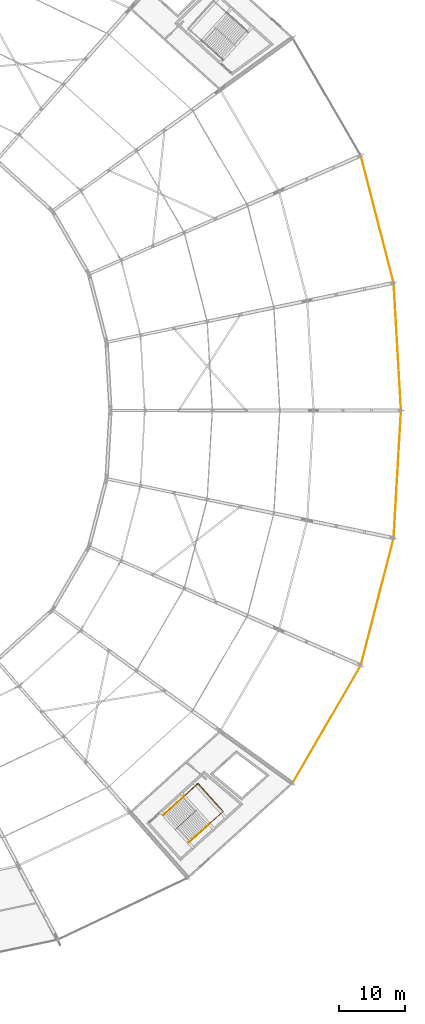
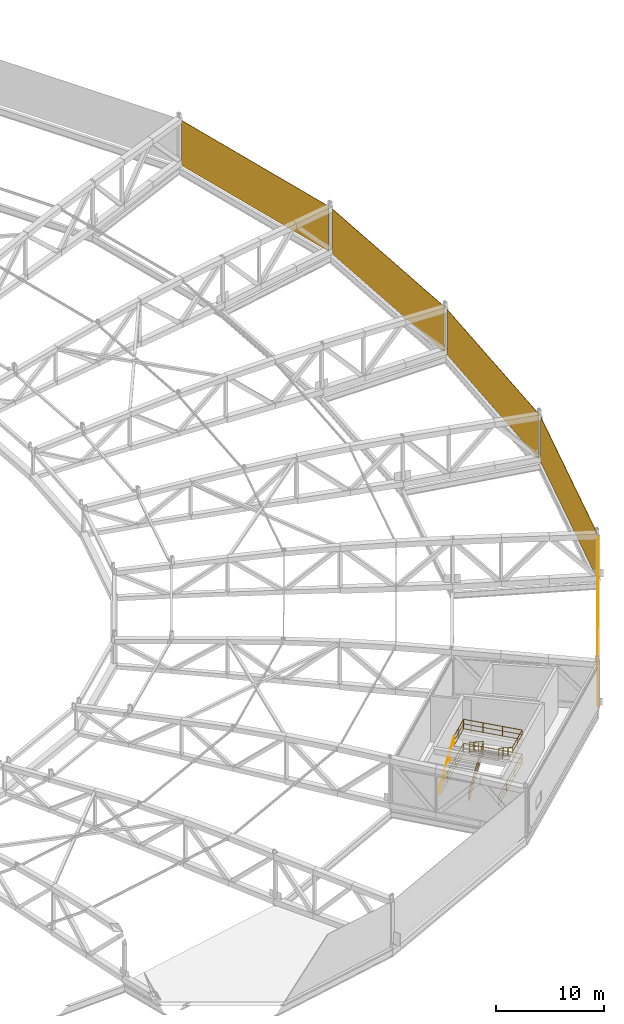
# One storey, part 161 of 162: 5 coverings, 5 railings.
"""IFC4 building model written with IfcOpenShell, lengths in metres."""

import ifcopenshell
import ifcopenshell.guid

model = None  # the IFC model being written
_history = None  # IfcOwnerHistory: only IFC2X3 demands one
_inside = {}  # id of a spatial element -> (the spatial element, [elements in it])
_under = {}  # id of a project, library or spatial element -> (it, [spatial elements below it])
_declared = {}  # id of a project -> (the project, [libraries it declares])
_typed = {}  # id of a type object -> (the type object, [elements of that type])
_made_of = {}  # id of a material, layer set ... -> (it, [elements and type objects made of it])


def new_model(schema):
    """Start an empty IFC model of exactly this schema.

    Asked for "IFC4X3", IfcOpenShell would pick the latest addendum, in which some entities
    have other attributes; the version numbers below select the first issue.
    IFC2X3 requires an IfcOwnerHistory on every rooted entity: one is made here for all.
    """
    global model, _history
    if schema == "IFC4X3":
        model = ifcopenshell.file(schema_version=(4, 3, 0, 0))
    else:
        model = ifcopenshell.file(schema=schema)
    _inside.clear()
    _under.clear()
    _declared.clear()
    _typed.clear()
    _made_of.clear()
    _history = None
    if model.schema == "IFC2X3":
        org = make("IfcOrganization", Name="unknown")
        user = make(
            "IfcPersonAndOrganization",
            ThePerson=make("IfcPerson", FamilyName="unknown"),
            TheOrganization=org,
        )
        app = make(
            "IfcApplication",
            ApplicationDeveloper=org,
            Version="unknown",
            ApplicationFullName="unknown",
            ApplicationIdentifier="unknown",
        )
        _history = make(
            "IfcOwnerHistory",
            OwningUser=user,
            OwningApplication=app,
            ChangeAction="ADDED",
            CreationDate=0,
        )
    return model


def make(cls, **values):
    """One entity of the class cls with the attributes given. An attribute that is None is left unset."""
    return model.create_entity(
        cls, **{name: value for name, value in values.items() if value is not None}
    )


def rooted(cls, **values):
    """An entity with a GlobalId (a new one), such as an element, a storey or a relation."""
    return make(cls, GlobalId=ifcopenshell.guid.new(), OwnerHistory=_history, **values)


def si_unit(unit_type, name, prefix=None):
    """IfcSIUnit, for example si_unit("LENGTHUNIT", "METRE", prefix="MILLI")."""
    return make("IfcSIUnit", UnitType=unit_type, Prefix=prefix, Name=name)


def assignment(units):
    """IfcUnitAssignment: the units of a project."""
    return None if units is None else make("IfcUnitAssignment", Units=units)


def point(xyz):
    """IfcCartesianPoint."""
    return None if xyz is None else make("IfcCartesianPoint", Coordinates=xyz)


def direction(xyz):
    """IfcDirection."""
    return None if xyz is None else make("IfcDirection", DirectionRatios=xyz)


def frame(location, z_axis=None, x_axis=None):
    """IfcAxis2Placement3D, a coordinate frame: its origin and axes. An axis left out is left unset."""
    return make(
        "IfcAxis2Placement3D",
        Location=point(location),
        Axis=direction(z_axis),
        RefDirection=direction(x_axis),
    )


def frame_2d(location, x_axis=None):
    """IfcAxis2Placement2D, a coordinate frame in the plane: its origin and x axis."""
    return make(
        "IfcAxis2Placement2D", Location=point(location), RefDirection=direction(x_axis)
    )


def origin():
    """The frame at (0, 0, 0) with its axes left unset."""
    return frame((0.0, 0.0, 0.0))


def origin_2d():
    """The frame at (0, 0) in the plane with its x axis left unset."""
    return frame_2d((0.0, 0.0))


def place(relative_to, where):
    """IfcLocalPlacement: puts the frame where relative to a parent placement (None: the world)."""
    return make(
        "IfcLocalPlacement", PlacementRelTo=relative_to, RelativePlacement=where
    )


def context(
    kind, dimensions, precision=None, world=None, true_north=None, identifier=None
):
    """IfcGeometricRepresentationContext, for example the 3D "Model" context."""
    return make(
        "IfcGeometricRepresentationContext",
        ContextIdentifier=identifier,
        ContextType=kind,
        CoordinateSpaceDimension=dimensions,
        Precision=precision,
        WorldCoordinateSystem=world,
        TrueNorth=true_north,
    )


def subcontext(parent, identifier, kind, view, scale=None):
    """IfcGeometricRepresentationSubContext, for example "Body" below "Model"."""
    return make(
        "IfcGeometricRepresentationSubContext",
        ContextIdentifier=identifier,
        ContextType=kind,
        ParentContext=parent,
        TargetScale=scale,
        TargetView=view,
    )


def project(units=None, contexts=None):
    """IfcProject with its units and contexts."""
    return rooted(
        "IfcProject",
        Name="project",
        RepresentationContexts=contexts,
        UnitsInContext=assignment(units),
    )


def spatial(cls, under=None, at=None, **own):
    """A site, building, storey or space (cls), placed at a placement, below another one or the project."""
    s = rooted(cls, ObjectPlacement=at, **own)
    if under is not None:
        _under.setdefault(under.id(), (under, []))[1].append(s)
    return s


def profile(cls, at=None, kind="AREA", **sizes):
    """A parametric profile (cls). Its sizes go by their IFC names, for example OverallWidth=200.0."""
    return make(cls, ProfileType=kind, Position=at, **sizes)


def rectangle(**sizes):
    """IfcRectangleProfileDef."""
    return profile("IfcRectangleProfileDef", **sizes)


def extrude(swept, where, along, depth):
    """IfcExtrudedAreaSolid: the profile swept, set in the frame where, extruded along a direction by depth."""
    return make(
        "IfcExtrudedAreaSolid",
        SweptArea=swept,
        Position=where,
        ExtrudedDirection=direction(along),
        Depth=depth,
    )


def shape(context_of_items, identifier, shape_type, items):
    """IfcShapeRepresentation: the items that make up one representation, for example the "Body"."""
    return make(
        "IfcShapeRepresentation",
        ContextOfItems=context_of_items,
        RepresentationIdentifier=identifier,
        RepresentationType=shape_type,
        Items=items,
    )


def material(Name=None, Category=None):
    """IfcMaterial."""
    return make("IfcMaterial", Name=Name, Category=Category)


def layer(
    of_material, thickness, ventilated=None, Name=None, Category=None, Priority=None
):
    """IfcMaterialLayer: one layer of a wall or slab, of a material (None: an air gap)."""
    return make(
        "IfcMaterialLayer",
        Material=of_material,
        LayerThickness=thickness,
        IsVentilated=ventilated,
        Name=Name,
        Category=Category,
        Priority=Priority,
    )


def layer_set(layers, Name=None):
    """IfcMaterialLayerSet."""
    return make("IfcMaterialLayerSet", MaterialLayers=layers, LayerSetName=Name)


def made_of(thing, what):
    """Note that an element or type object is made of a material, layer set ...; save() writes the relation."""
    if what is not None:
        _made_of.setdefault(what.id(), (what, []))[1].append(thing)
    return thing


def type_object(cls, material=None, **own):
    """A type object (cls), such as IfcWallType, which elements share."""
    return made_of(rooted(cls, **own), material)


def element(
    cls,
    number,
    at=None,
    inside=None,
    cuts=None,
    type_object=None,
    material=None,
    context=None,
    identifier="Body",
    shape_type=None,
    held_by="IfcProductDefinitionShape",
    body=None,
    shapes=None,
    **own,
):
    """One element of the class cls, such as IfcWall. Its Tag is "e" and its number.

    at: its placement. inside: the storey or other place that contains it. cuts: it is an
    opening in that element (IfcRelVoidsElement). A single representation is given by context,
    identifier, shape_type and body (its items); several are given by shapes. held_by: the class
    of the entity that holds the representations. save() writes the other relations.
    """
    e = rooted(cls, Tag="e%d" % number, ObjectPlacement=at, **own)
    if body is not None:
        shapes = [shape(context, identifier, shape_type, body)]
    if shapes is not None:
        e.Representation = make(held_by, Representations=shapes)
    if inside is not None:
        _inside.setdefault(inside.id(), (inside, []))[1].append(e)
    if cuts is not None:
        rooted(
            "IfcRelVoidsElement", RelatingBuildingElement=cuts, RelatedOpeningElement=e
        )
    if type_object is not None:
        _typed.setdefault(type_object.id(), (type_object, []))[1].append(e)
    return made_of(e, material)


def aggregate(whole, parts):
    """IfcRelAggregates: a whole, such as a stair, and the parts it consists of."""
    return rooted("IfcRelAggregates", RelatingObject=whole, RelatedObjects=parts)


def save(model, path):
    """Write the relations noted so far, then the file.

    IfcRelAggregates (storeys below a building ...), IfcRelContainedInSpatialStructure (elements
    in a storey), IfcRelDefinesByType, IfcRelAssociatesMaterial and IfcRelDeclares: one each for
    every whole, place, type object, material and project.
    """
    for whole, parts in _under.values():
        aggregate(whole, parts)
    for where, things in _inside.values():
        rooted(
            "IfcRelContainedInSpatialStructure",
            RelatedElements=things,
            RelatingStructure=where,
        )
    for kind, things in _typed.values():
        rooted("IfcRelDefinesByType", RelatedObjects=things, RelatingType=kind)
    for what, things in _made_of.values():
        rooted("IfcRelAssociatesMaterial", RelatedObjects=things, RelatingMaterial=what)
    for by, libraries in _declared.values():
        rooted("IfcRelDeclares", RelatingContext=by, RelatedDefinitions=libraries)
    model.write(path)


model = new_model("IFC4")

# Units and contexts
model_context = context("Model", 3, precision=1e-05, world=origin(), true_north=direction((0.0, 1.0)))
body_context = subcontext(model_context, "Body", "Model", "MODEL_VIEW")
ifc_project = project(units=[si_unit("LENGTHUNIT", "METRE"), si_unit("AREAUNIT", "SQUARE_METRE"), si_unit("VOLUMEUNIT", "CUBIC_METRE"), si_unit("PLANEANGLEUNIT", "RADIAN"), si_unit("MASSUNIT", "GRAM", prefix="KILO")], contexts=[model_context])

# Site, building, storey
site_placement = place(None, origin())
site = spatial("IfcSite", under=ifc_project, at=site_placement, CompositionType="ELEMENT")
building_placement = place(site_placement, origin())
building = spatial("IfcBuilding", under=site, at=building_placement, Name="Kazemori Nagisa Stadium", CompositionType="ELEMENT")
storey_placement = place(building_placement, frame((0.0, 0.0, 36.719970703125)))
storey = spatial("IfcBuildingStorey", under=building, at=storey_placement, Name="RF", CompositionType="ELEMENT", Elevation=36.719970703125)

# Coverings
ifc_material_1 = material(Name="Anodised aluminium 6063-T5", Category="aluminium")
ifc_layer = layer(ifc_material_1, 0.034912109375, Name="Anodised aluminium 6063-T5", Category="aluminium")
ifc_layer_set = layer_set([ifc_layer], Name="Anodised aluminium 6063-T5")
covering_type = type_object("IfcCoveringType", Name="Covering_CLAD", PredefinedType="CLADDING", material=ifc_layer_set)
covering_1_placement = place(storey_placement, frame((217.4404296875, 111.69873046875, 0.030029296875), z_axis=(0.0, 0.0, 1.0), x_axis=(-0.057601670941, 0.998339645364, 0.0)))
element("IfcCovering", 1, at=covering_1_placement, inside=storey, type_object=covering_type, Name="Canopy perimeter acoustic fascia screen RF-B01", PredefinedType="CLADDING", context=body_context, shape_type="SweptSolid", body=[
    extrude(rectangle(XDim=18.929931640625, YDim=0.050048828125, at=origin_2d()), origin(), (0.0, 0.0, 1.0), 5.10009765625),
])
covering_2_placement = place(storey_placement, frame((214.3828125, 131.07373046875, 0.030029296875), z_axis=(0.0, 0.0, 1.0), x_axis=(-0.249964642418, 0.968254965152, 0.0)))
element("IfcCovering", 2, at=covering_2_placement, inside=storey, type_object=covering_type, Name="Canopy perimeter acoustic fascia screen RF-B02", PredefinedType="CLADDING", context=body_context, shape_type="SweptSolid", body=[
    extrude(rectangle(XDim=19.486328125, YDim=0.050048828125, at=origin_2d()), origin(), (0.0, 0.0, 1.0), 5.10009765625),
])
covering_3_placement = place(storey_placement, frame((206.690185546875, 54.29150390625, 0.030029296875), z_axis=(0.0, 0.0, 1.0), x_axis=(0.501611590054, 0.865092950337, 0.0)))
element("IfcCovering", 3, at=covering_3_placement, inside=storey, type_object=covering_type, Name="Canopy perimeter acoustic fascia screen RF-B26", PredefinedType="CLADDING", context=body_context, shape_type="SweptSolid", body=[
    extrude(rectangle(XDim=20.21240234375, YDim=0.050048828125, at=origin_2d()), origin(), (0.0, 0.0, 1.0), 5.10009765625),
])
covering_4_placement = place(storey_placement, frame((214.3828125, 72.92626953125, 0.030029296875), z_axis=(0.0, 0.0, 1.0), x_axis=(0.249964642418, 0.968254965152, 0.0)))
element("IfcCovering", 4, at=covering_4_placement, inside=storey, type_object=covering_type, Name="Canopy perimeter acoustic fascia screen RF-B27", PredefinedType="CLADDING", context=body_context, shape_type="SweptSolid", body=[
    extrude(rectangle(XDim=19.486328125, YDim=0.050048828125, at=origin_2d()), origin(), (0.0, 0.0, 1.0), 5.10009765625),
])
covering_5_placement = place(storey_placement, frame((217.4404296875, 92.30126953125, 0.030029296875), z_axis=(0.0, 0.0, 1.0), x_axis=(0.057601670941, 0.998339645364, 0.0)))
element("IfcCovering", 5, at=covering_5_placement, inside=storey, type_object=covering_type, Name="Canopy perimeter acoustic fascia screen RF-B28", PredefinedType="CLADDING", context=body_context, shape_type="SweptSolid", body=[
    extrude(rectangle(XDim=18.929931640625, YDim=0.050048828125, at=origin_2d()), origin(), (0.0, 0.0, 1.0), 5.10009765625),
])

# Railings
ifc_material_2 = material(Name="Galvanised powder-coated steel", Category="steel")
railing_type_1 = type_object("IfcRailingType", Name="Rail_GUARD", PredefinedType="GUARDRAIL", material=ifc_material_2)
railing_1_placement = place(storey_placement, frame((181.87890625, 40.5205078125, 0.0)))
element("IfcRailing", 6, at=railing_1_placement, inside=storey, type_object=railing_type_1, Name="Stair well perimeter guard ST04-RF", PredefinedType="GUARDRAIL", context=body_context, shape_type="SweptSolid", body=[
    extrude(rectangle(XDim=0.050048828125, YDim=0.050048828125, at=origin_2d()), frame((0.0, 0.0, 1.09521484375), z_axis=(0.741333574744, 0.671136745349, 0.0), x_axis=(-0.671136745349, 0.741333574744, 0.0)), (0.0, 0.0, 1.0), 7.094970703125),
    extrude(rectangle(XDim=0.03759765625, YDim=0.03759765625, at=origin_2d()), frame((0.0, 0.0, 0.58251953125), z_axis=(0.741333574744, 0.671136745349, 0.0), x_axis=(-0.671136745349, 0.741333574744, 0.0)), (0.0, 0.0, 1.0), 7.094970703125),
    extrude(rectangle(XDim=0.03759765625, YDim=0.03759765625, at=origin_2d()), frame((0.0, 0.0, 0.02490234375), z_axis=(0.741333574744, 0.671136745349, 0.0), x_axis=(-0.671136745349, 0.741333574744, 0.0)), (0.0, 0.0, 1.0), 7.094970703125),
    extrude(rectangle(XDim=0.050048828125, YDim=0.050048828125, at=origin_2d()), frame((5.259765625, 4.76171875, 1.09521484375), z_axis=(0.671112926645, -0.74135513736, 0.0), x_axis=(0.74135513736, 0.671112926645, 0.0)), (0.0, 0.0, 1.0), 5.7001953125),
    extrude(rectangle(XDim=0.03759765625, YDim=0.03759765625, at=origin_2d()), frame((5.259765625, 4.76171875, 0.58251953125), z_axis=(0.671112926645, -0.74135513736, 0.0), x_axis=(0.74135513736, 0.671112926645, 0.0)), (0.0, 0.0, 1.0), 5.7001953125),
    extrude(rectangle(XDim=0.03759765625, YDim=0.03759765625, at=origin_2d()), frame((5.259765625, 4.76171875, 0.02490234375), z_axis=(0.671112926645, -0.74135513736, 0.0), x_axis=(0.74135513736, 0.671112926645, 0.0)), (0.0, 0.0, 1.0), 5.7001953125),
    extrude(rectangle(XDim=0.050048828125, YDim=0.050048828125, at=origin_2d()), frame((9.085205078125, 0.535888671875, 1.09521484375), z_axis=(-0.741366193318, -0.67110071331, 0.0), x_axis=(0.67110071331, -0.741366193318, 0.0)), (0.0, 0.0, 1.0), 7.094970703125),
    extrude(rectangle(XDim=0.03759765625, YDim=0.03759765625, at=origin_2d()), frame((9.085205078125, 0.535888671875, 0.58251953125), z_axis=(-0.741366193318, -0.67110071331, 0.0), x_axis=(0.67110071331, -0.741366193318, 0.0)), (0.0, 0.0, 1.0), 7.094970703125),
    extrude(rectangle(XDim=0.03759765625, YDim=0.03759765625, at=origin_2d()), frame((9.085205078125, 0.535888671875, 0.02490234375), z_axis=(-0.741366193318, -0.67110071331, 0.0), x_axis=(0.67110071331, -0.741366193318, 0.0)), (0.0, 0.0, 1.0), 7.094970703125),
    extrude(rectangle(XDim=0.044921875, YDim=0.044921875, at=origin_2d()), origin(), (0.0, 0.0, 1.0), 1.070068359375),
    extrude(rectangle(XDim=0.044921875, YDim=0.044921875, at=origin_2d()), frame((1.753173828125, 1.587158203125, 0.0)), (0.0, 0.0, 1.0), 1.070068359375),
    extrude(rectangle(XDim=0.044921875, YDim=0.044921875, at=origin_2d()), frame((3.506591796875, 3.174560546875, 0.0)), (0.0, 0.0, 1.0), 1.070068359375),
    extrude(rectangle(XDim=0.044921875, YDim=0.044921875, at=origin_2d()), frame((5.259765625, 4.76171875, 0.0)), (0.0, 0.0, 1.0), 1.070068359375),
    extrude(rectangle(XDim=0.044921875, YDim=0.044921875, at=origin_2d()), frame((6.534912109375, 3.35302734375, 0.0)), (0.0, 0.0, 1.0), 1.070068359375),
    extrude(rectangle(XDim=0.044921875, YDim=0.044921875, at=origin_2d()), frame((7.81005859375, 1.944580078125, 0.0)), (0.0, 0.0, 1.0), 1.070068359375),
    extrude(rectangle(XDim=0.044921875, YDim=0.044921875, at=origin_2d()), frame((9.085205078125, 0.535888671875, 0.0)), (0.0, 0.0, 1.0), 1.070068359375),
    extrude(rectangle(XDim=0.044921875, YDim=0.044921875, at=origin_2d()), frame((7.331787109375, -1.05126953125, 0.0)), (0.0, 0.0, 1.0), 1.070068359375),
    extrude(rectangle(XDim=0.044921875, YDim=0.044921875, at=origin_2d()), frame((5.57861328125, -2.638427734375, 0.0)), (0.0, 0.0, 1.0), 1.070068359375),
    extrude(rectangle(XDim=0.044921875, YDim=0.044921875, at=origin_2d()), frame((3.8251953125, -4.2255859375, 0.0)), (0.0, 0.0, 1.0), 1.070068359375),
])
railing_2_placement = place(storey_placement, frame((183.732177734375, 38.35400390625, 0.0)))
element("IfcRailing", 7, at=railing_2_placement, inside=storey, type_object=railing_type_1, Name="Stair central guard ST04-RF", PredefinedType="GUARDRAIL", context=body_context, shape_type="SweptSolid", body=[
    extrude(rectangle(XDim=0.050048828125, YDim=0.050048828125, at=origin_2d()), frame((0.0, 0.0, 1.09521484375), z_axis=(0.627557777508, 0.568113486393, 0.532370456043), x_axis=(-0.67112318634, 0.741345849626, 0.0)), (0.0, 0.0, 1.0), 5.109130859375),
    extrude(rectangle(XDim=0.03759765625, YDim=0.03759765625, at=origin_2d()), frame((0.0, 0.0, 0.58251953125), z_axis=(0.627557777508, 0.568113486393, 0.532370456043), x_axis=(-0.67112318634, 0.741345849626, 0.0)), (0.0, 0.0, 1.0), 5.109130859375),
    extrude(rectangle(XDim=0.03759765625, YDim=0.03759765625, at=origin_2d()), frame((0.0, 0.0, 0.02490234375), z_axis=(0.627557777508, 0.568113486393, 0.532370456043), x_axis=(-0.67112318634, 0.741345849626, 0.0)), (0.0, 0.0, 1.0), 5.109130859375),
    extrude(rectangle(XDim=0.050048828125, YDim=0.050048828125, at=origin_2d()), frame((3.206298828125, 2.902587890625, 3.81494140625), z_axis=(-0.624200602078, -0.565073454279, 0.539504957933), x_axis=(0.671122625547, -0.741346357298, 0.0)), (0.0, 0.0, 1.0), 5.04150390625),
    extrude(rectangle(XDim=0.03759765625, YDim=0.03759765625, at=origin_2d()), frame((3.206298828125, 2.902587890625, 3.302490234375), z_axis=(-0.624200602078, -0.565073454279, 0.539504957933), x_axis=(0.671122625547, -0.741346357298, 0.0)), (0.0, 0.0, 1.0), 5.04150390625),
    extrude(rectangle(XDim=0.03759765625, YDim=0.03759765625, at=origin_2d()), frame((3.206298828125, 2.902587890625, 2.7451171875), z_axis=(-0.624200602078, -0.565073454279, 0.539504957933), x_axis=(0.671122625547, -0.741346357298, 0.0)), (0.0, 0.0, 1.0), 5.04150390625),
    extrude(rectangle(XDim=0.044921875, YDim=0.044921875, at=origin_2d()), origin(), (0.0, 0.0, 1.0), 1.070068359375),
    extrude(rectangle(XDim=0.044921875, YDim=0.044921875, at=origin_2d()), frame((1.06884765625, 0.967529296875, 0.90673828125)), (0.0, 0.0, 1.0), 1.070068359375),
    extrude(rectangle(XDim=0.044921875, YDim=0.044921875, at=origin_2d()), frame((2.137451171875, 1.93505859375, 1.813232421875)), (0.0, 0.0, 1.0), 1.070068359375),
    extrude(rectangle(XDim=0.044921875, YDim=0.044921875, at=origin_2d()), frame((3.206298828125, 2.902587890625, 2.719970703125)), (0.0, 0.0, 1.0), 1.070068359375),
    extrude(rectangle(XDim=0.044921875, YDim=0.044921875, at=origin_2d()), frame((2.1572265625, 1.952880859375, 3.626708984375)), (0.0, 0.0, 1.0), 1.070068359375),
    extrude(rectangle(XDim=0.044921875, YDim=0.044921875, at=origin_2d()), frame((1.1083984375, 1.00341796875, 4.533203125)), (0.0, 0.0, 1.0), 1.070068359375),
    extrude(rectangle(XDim=0.044921875, YDim=0.044921875, at=origin_2d()), frame((0.059326171875, 0.0537109375, 5.43994140625)), (0.0, 0.0, 1.0), 1.070068359375),
])
railing_3_placement = place(storey_placement, frame((185.02587890625, 43.369384765625, 2.719970703125)))
element("IfcRailing", 8, at=railing_3_placement, inside=storey, type_object=railing_type_1, Name="Stair landing guard ST04-RF", PredefinedType="GUARDRAIL", context=body_context, shape_type="SweptSolid", body=[
    extrude(rectangle(XDim=0.050048828125, YDim=0.050048828125, at=origin_2d()), frame((0.0, 0.0, 1.09521484375), z_axis=(0.741314535645, 0.671157775223, 0.0), x_axis=(-0.671157775223, 0.741314535645, 0.0)), (0.0, 0.0, 1.0), 2.85009765625),
    extrude(rectangle(XDim=0.03759765625, YDim=0.03759765625, at=origin_2d()), frame((0.0, 0.0, 0.58251953125), z_axis=(0.741314535645, 0.671157775223, 0.0), x_axis=(-0.671157775223, 0.741314535645, 0.0)), (0.0, 0.0, 1.0), 2.85009765625),
    extrude(rectangle(XDim=0.03759765625, YDim=0.03759765625, at=origin_2d()), frame((0.0, 0.0, 0.02490234375), z_axis=(0.741314535645, 0.671157775223, 0.0), x_axis=(-0.671157775223, 0.741314535645, 0.0)), (0.0, 0.0, 1.0), 2.85009765625),
    extrude(rectangle(XDim=0.050048828125, YDim=0.050048828125, at=origin_2d()), frame((2.11279296875, 1.912841796875, 1.09521484375), z_axis=(0.671112926645, -0.74135513736, 0.0), x_axis=(0.74135513736, 0.671112926645, 0.0)), (0.0, 0.0, 1.0), 5.7001953125),
    extrude(rectangle(XDim=0.03759765625, YDim=0.03759765625, at=origin_2d()), frame((2.11279296875, 1.912841796875, 0.58251953125), z_axis=(0.671112926645, -0.74135513736, 0.0), x_axis=(0.74135513736, 0.671112926645, 0.0)), (0.0, 0.0, 1.0), 5.7001953125),
    extrude(rectangle(XDim=0.03759765625, YDim=0.03759765625, at=origin_2d()), frame((2.11279296875, 1.912841796875, 0.02490234375), z_axis=(0.671112926645, -0.74135513736, 0.0), x_axis=(0.74135513736, 0.671112926645, 0.0)), (0.0, 0.0, 1.0), 5.7001953125),
    extrude(rectangle(XDim=0.050048828125, YDim=0.050048828125, at=origin_2d()), frame((5.938232421875, -2.31298828125, 1.09521484375), z_axis=(-0.741357156534, -0.671110696127, 0.0), x_axis=(0.671110696127, -0.741357156534, 0.0)), (0.0, 0.0, 1.0), 2.849853515625),
    extrude(rectangle(XDim=0.03759765625, YDim=0.03759765625, at=origin_2d()), frame((5.938232421875, -2.31298828125, 0.58251953125), z_axis=(-0.741357156534, -0.671110696127, 0.0), x_axis=(0.671110696127, -0.741357156534, 0.0)), (0.0, 0.0, 1.0), 2.849853515625),
    extrude(rectangle(XDim=0.03759765625, YDim=0.03759765625, at=origin_2d()), frame((5.938232421875, -2.31298828125, 0.02490234375), z_axis=(-0.741357156534, -0.671110696127, 0.0), x_axis=(0.671110696127, -0.741357156534, 0.0)), (0.0, 0.0, 1.0), 2.849853515625),
    extrude(rectangle(XDim=0.044921875, YDim=0.044921875, at=origin_2d()), origin(), (0.0, 0.0, 1.0), 1.070068359375),
    extrude(rectangle(XDim=0.044921875, YDim=0.044921875, at=origin_2d()), frame((1.056396484375, 0.95654296875, 0.0)), (0.0, 0.0, 1.0), 1.070068359375),
    extrude(rectangle(XDim=0.044921875, YDim=0.044921875, at=origin_2d()), frame((2.11279296875, 1.912841796875, 0.0)), (0.0, 0.0, 1.0), 1.070068359375),
    extrude(rectangle(XDim=0.044921875, YDim=0.044921875, at=origin_2d()), frame((3.387939453125, 0.504150390625, 0.0)), (0.0, 0.0, 1.0), 1.070068359375),
    extrude(rectangle(XDim=0.044921875, YDim=0.044921875, at=origin_2d()), frame((4.6630859375, -0.904296875, 0.0)), (0.0, 0.0, 1.0), 1.070068359375),
    extrude(rectangle(XDim=0.044921875, YDim=0.044921875, at=origin_2d()), frame((5.938232421875, -2.31298828125, 0.0)), (0.0, 0.0, 1.0), 1.070068359375),
    extrude(rectangle(XDim=0.044921875, YDim=0.044921875, at=origin_2d()), frame((4.8818359375, -3.269287109375, 0.0)), (0.0, 0.0, 1.0), 1.070068359375),
    extrude(rectangle(XDim=0.044921875, YDim=0.044921875, at=origin_2d()), frame((3.825439453125, -4.2255859375, 0.0)), (0.0, 0.0, 1.0), 1.070068359375),
])
ifc_material_3 = material(Name="Stainless steel SUS304", Category="steel")
railing_type_2 = type_object("IfcRailingType", Name="Rail_HAND", PredefinedType="HANDRAIL", material=ifc_material_3)
railing_4_placement = place(storey_placement, frame((181.819580078125, 40.466796875, 0.169921875)))
element("IfcRailing", 9, at=railing_4_placement, inside=storey, type_object=railing_type_2, Name="Stair handrail ST04-RF-F1", PredefinedType="HANDRAIL", context=body_context, shape_type="SweptSolid", body=[
    extrude(rectangle(XDim=0.050048828125, YDim=0.050048828125, at=origin_2d()), frame((0.0, 0.0, 0.875), z_axis=(0.627541812823, 0.568099033934, 0.53240469645), x_axis=(-0.67112318634, 0.741345849626, 0.0)), (0.0, 0.0, 1.0), 5.109375),
    extrude(rectangle(XDim=0.044921875, YDim=0.044921875, at=origin_2d()), origin(), (0.0, 0.0, 1.0), 0.849853515625),
    extrude(rectangle(XDim=0.044921875, YDim=0.044921875, at=origin_2d()), frame((1.06884765625, 0.967529296875, 0.90673828125)), (0.0, 0.0, 1.0), 0.849853515625),
    extrude(rectangle(XDim=0.044921875, YDim=0.044921875, at=origin_2d()), frame((2.137451171875, 1.93505859375, 1.8134765625)), (0.0, 0.0, 1.0), 0.849853515625),
    extrude(rectangle(XDim=0.044921875, YDim=0.044921875, at=origin_2d()), frame((3.206298828125, 2.902587890625, 2.72021484375)), (0.0, 0.0, 1.0), 0.849853515625),
])
railing_5_placement = place(storey_placement, frame((188.851318359375, 39.143798828125, 2.89013671875)))
element("IfcRailing", 10, at=railing_5_placement, inside=storey, type_object=railing_type_2, Name="Stair handrail ST04-RF-F2", PredefinedType="HANDRAIL", context=body_context, shape_type="SweptSolid", body=[
    extrude(rectangle(XDim=0.050048828125, YDim=0.050048828125, at=origin_2d()), frame((0.0, 0.0, 0.875), z_axis=(-0.624230158192, -0.5650563739, 0.539488650408), x_axis=(0.67109401143, -0.741372259949, 0.0)), (0.0, 0.0, 1.0), 5.041748046875),
    extrude(rectangle(XDim=0.044921875, YDim=0.044921875, at=origin_2d()), origin(), (0.0, 0.0, 1.0), 0.849853515625),
    extrude(rectangle(XDim=0.044921875, YDim=0.044921875, at=origin_2d()), frame((-1.049072265625, -0.94970703125, 0.90673828125)), (0.0, 0.0, 1.0), 0.849853515625),
    extrude(rectangle(XDim=0.044921875, YDim=0.044921875, at=origin_2d()), frame((-2.09814453125, -1.899169921875, 1.813232421875)), (0.0, 0.0, 1.0), 0.849853515625),
    extrude(rectangle(XDim=0.044921875, YDim=0.044921875, at=origin_2d()), frame((-3.147216796875, -2.848876953125, 2.719970703125)), (0.0, 0.0, 1.0), 0.849853515625),
])

save(model, "model.ifc")
